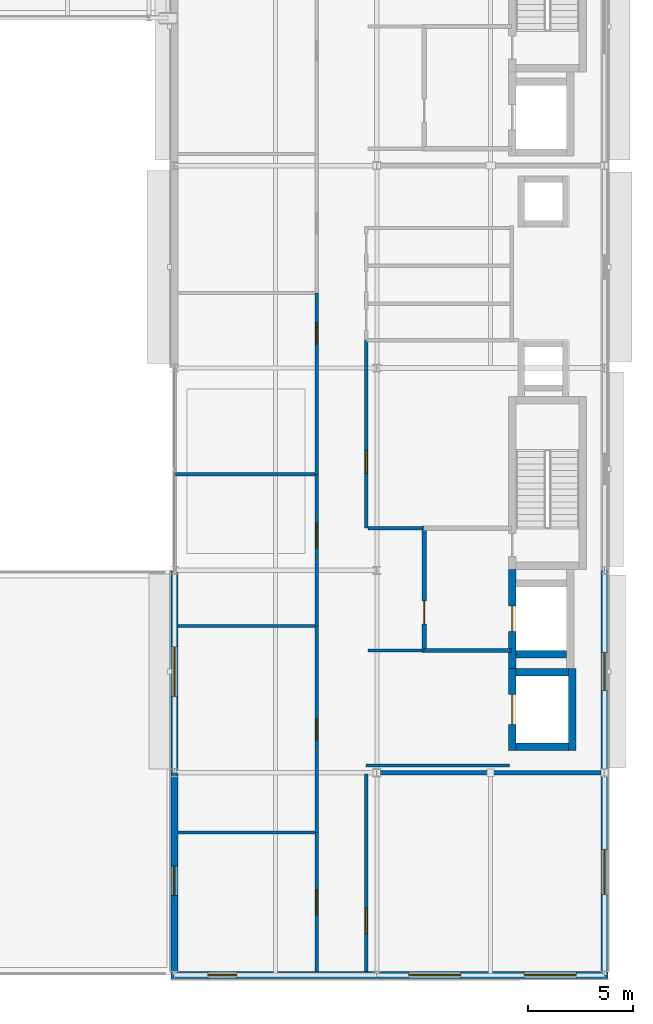
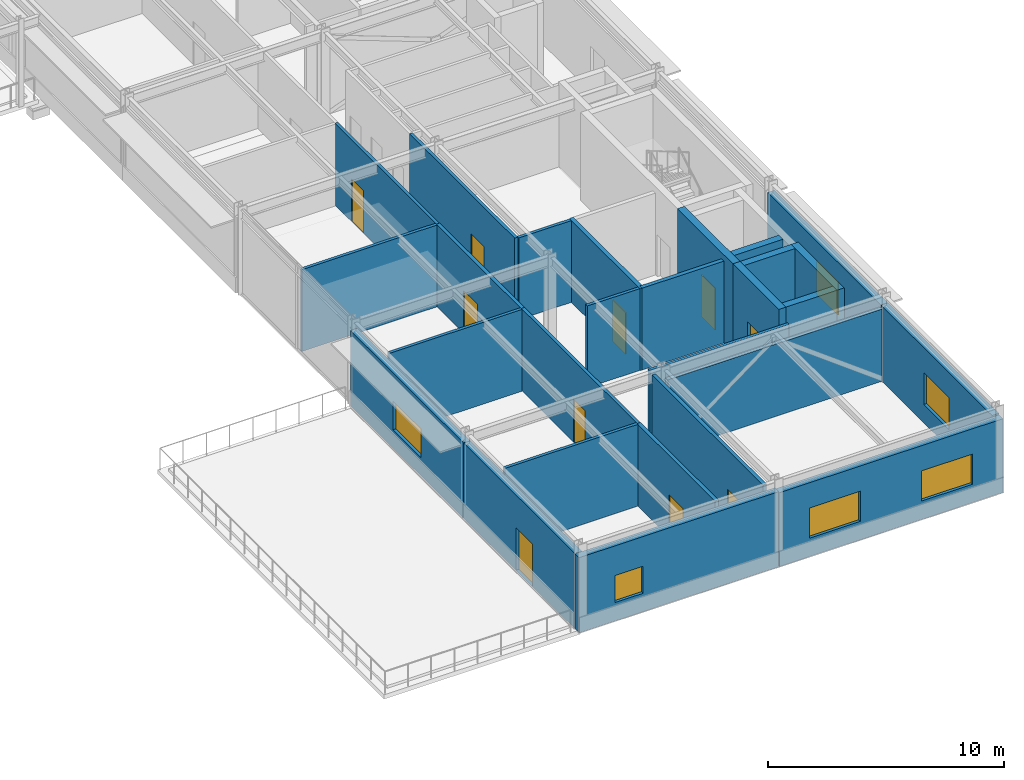
# One storey, part 124 of 157: 27 walls, 10 doors, 6 windows, 16 openings.
"""IFC4 building model written with IfcOpenShell, lengths in metres."""

from ifc_helpers import new_model, si_unit, direction, frame, frame_2d, origin, place, context, subcontext, project, spatial, rectangle, extrude, material, layer, layer_set, type_object, element, fill, save


model = new_model("IFC4")

# Units and contexts
model_context = context("Model", 3, precision=1e-05, world=origin(), true_north=direction((0.0, 1.0)))
body_context = subcontext(model_context, "Body", "Model", "MODEL_VIEW")
ifc_project = project(units=[si_unit("LENGTHUNIT", "METRE"), si_unit("AREAUNIT", "SQUARE_METRE"), si_unit("VOLUMEUNIT", "CUBIC_METRE"), si_unit("PLANEANGLEUNIT", "RADIAN"), si_unit("MASSUNIT", "GRAM", prefix="KILO")], contexts=[model_context])

# Site, building, storey
site_placement = place(None, origin())
site = spatial("IfcSite", under=ifc_project, at=site_placement, CompositionType="ELEMENT")
building_placement = place(site_placement, origin())
building = spatial("IfcBuilding", under=site, at=building_placement, Name="Almandine Court Research Institute", CompositionType="ELEMENT")
storey_placement = place(building_placement, frame((0.0, 0.0, 5.25)))
storey = spatial("IfcBuildingStorey", under=building, at=storey_placement, Name="L01", CompositionType="ELEMENT", Elevation=5.25)

# Wall, opening, door
ifc_material_1 = material(Name="Andean Red-Buff Sandstone Plinth Wall", Category="masonry")
ifc_layer_1 = layer(ifc_material_1, 0.340087890625)
ifc_layer_set_1 = layer_set([ifc_layer_1], Name="Andean Red-Buff Sandstone Plinth Wall")
wall_type_1 = type_object("IfcWallType", Name="Wall-EXT-SAND-340", PredefinedType="SOLIDWALL", material=ifc_layer_set_1)
wall_1_placement = place(storey_placement, frame((153.60009765625, 6.174072265625, 0.0), z_axis=(0.0, 0.0, 1.0), x_axis=(0.0, 1.0, 0.0)))
wall_1 = element("IfcWall", 1, at=wall_1_placement, inside=storey, type_object=wall_type_1, Name="L01 Wet Lab West Terrace Wall", PredefinedType="SOLIDWALL", context=body_context, shape_type="SweptSolid", body=[
    extrude(rectangle(XDim=9.421875, YDim=0.340087890625, at=frame_2d((4.7109375, 0.0))), origin(), (0.0, 0.0, 1.0), 3.89306640625),
])
opening_1_placement = place(wall_1_placement, frame((3.60009765625, 0.0, 0.0)))
opening_1 = element("IfcOpeningElement", 2, at=opening_1_placement, cuts=wall_1, Name="Opening TD-01", PredefinedType="OPENING", context=body_context, shape_type="SweptSolid", body=[
    extrude(rectangle(XDim=1.39990234375, YDim=2.199951171875, at=frame_2d((0.699951171875, 1.10009765625))), frame((0.0, 0.179931640625, 0.0), z_axis=(0.0, -1.0, 0.0), x_axis=(1.0, 0.0, 0.0)), (0.0, 0.0, 1.0), 0.360107421875),
])
ifc_material_2 = material(Name="Thermally Broken Glazed Terrace Door")
door_type_1 = type_object("IfcDoorType", Name="Door-TER-1400", OperationType="DOUBLE_DOOR_SINGLE_SWING", PredefinedType="DOOR", material=ifc_material_2)
door_1_placement = place(opening_1_placement, origin())
door_1 = element("IfcDoor", 3, at=door_1_placement, inside=storey, type_object=door_type_1, Name="L01 Wet Lab SW Terrace Door", OperationType="DOUBLE_DOOR_SINGLE_SWING", OverallHeight=2.199951171875, OverallWidth=1.39990234375, PredefinedType="DOOR", context=body_context, shape_type="SweptSolid", body=[
    extrude(rectangle(XDim=1.39990234375, YDim=2.199951171875, at=frame_2d((0.699951171875, 1.10009765625))), frame((0.0, 0.02490234375, 0.0), z_axis=(0.0, -1.0, 0.0), x_axis=(1.0, 0.0, 0.0)), (0.0, 0.0, 1.0), 0.050048828125),
])
fill(opening_1, door_1)

# Wall, opening, window
wall_2_placement = place(storey_placement, frame((153.60009765625, 15.60400390625, 0.0), z_axis=(0.0, 0.0, 1.0), x_axis=(0.0, 1.0, 0.0)))
wall_2 = element("IfcWall", 4, at=wall_2_placement, inside=storey, type_object=wall_type_1, Name="L01 Wet Lab West Facade Wall 2", PredefinedType="SOLIDWALL", context=body_context, shape_type="SweptSolid", body=[
    extrude(rectangle(XDim=9.592041015625, YDim=0.340087890625, at=frame_2d((4.7958984375, 0.0))), origin(), (0.0, 0.0, 1.0), 3.89306640625),
])
opening_2_placement = place(wall_2_placement, frame((3.611083984375, 0.0, 0.949951171875)))
opening_2 = element("IfcOpeningElement", 5, at=opening_2_placement, cuts=wall_2, Name="Opening WN-61", PredefinedType="OPENING", context=body_context, shape_type="SweptSolid", body=[
    extrude(rectangle(XDim=2.3701171875, YDim=1.47998046875, at=frame_2d((1.18505859375, 0.739990234375))), frame((0.0, 0.179931640625, 0.0), z_axis=(0.0, -1.0, 0.0), x_axis=(1.0, 0.0, 0.0)), (0.0, 0.0, 1.0), 0.360107421875),
])
ifc_material_3 = material(Name="Thermally Broken Low-E Double-Glazed Window", Category="glass")
window_type_1 = type_object("IfcWindowType", Name="Win-WN-61-2370x1480", PartitioningType="SINGLE_PANEL", PredefinedType="WINDOW", material=ifc_material_3)
window_1_placement = place(opening_2_placement, origin())
window_1 = element("IfcWindow", 6, at=window_1_placement, inside=storey, type_object=window_type_1, Name="L01 Modular Recessed Low-E Window 87", OverallHeight=1.47998046875, OverallWidth=2.3701171875, PartitioningType="SINGLE_PANEL", PredefinedType="WINDOW", context=body_context, shape_type="SweptSolid", body=[
    extrude(rectangle(XDim=2.3701171875, YDim=1.47998046875, at=frame_2d((1.18505859375, 0.739990234375))), frame((0.0, 0.030029296875, 0.0), z_axis=(0.0, -1.0, 0.0), x_axis=(1.0, 0.0, 0.0)), (0.0, 0.0, 1.0), 0.06005859375),
])
fill(opening_2, window_1)

wall_3_placement = place(storey_placement, frame((174.0, 25.196044921875, 0.0), z_axis=(0.0, 0.0, 1.0), x_axis=(0.0, -1.0, 0.0)))
wall_3 = element("IfcWall", 7, at=wall_3_placement, inside=storey, type_object=wall_type_1, Name="L01 Wet Lab East Facade Wall 2", PredefinedType="SOLIDWALL", context=body_context, shape_type="SweptSolid", body=[
    extrude(rectangle(XDim=9.592041015625, YDim=0.340087890625, at=frame_2d((4.7958984375, 0.0))), origin(), (0.0, 0.0, 1.0), 3.884033203125),
])
opening_3_placement = place(wall_3_placement, frame((3.885986328125, 0.0, 0.949951171875)))
opening_3 = element("IfcOpeningElement", 8, at=opening_3_placement, cuts=wall_3, Name="Opening WN-68", PredefinedType="OPENING", context=body_context, shape_type="SweptSolid", body=[
    extrude(rectangle(XDim=1.820068359375, YDim=1.719970703125, at=frame_2d((0.91015625, 0.85986328125))), frame((0.0, 0.179931640625, 0.0), z_axis=(0.0, -1.0, 0.0), x_axis=(1.0, 0.0, 0.0)), (0.0, 0.0, 1.0), 0.360107421875),
])
window_type_2 = type_object("IfcWindowType", Name="Win-WN-68-1820x1720", PartitioningType="SINGLE_PANEL", PredefinedType="WINDOW", material=ifc_material_3)
window_2_placement = place(opening_3_placement, origin())
window_2 = element("IfcWindow", 9, at=window_2_placement, inside=storey, type_object=window_type_2, Name="L01 Modular Recessed Low-E Window 96", OverallHeight=1.719970703125, OverallWidth=1.820068359375, PartitioningType="SINGLE_PANEL", PredefinedType="WINDOW", context=body_context, shape_type="SweptSolid", body=[
    extrude(rectangle(XDim=1.820068359375, YDim=1.719970703125, at=frame_2d((0.91015625, 0.85986328125))), frame((0.0, 0.030029296875, 0.0), z_axis=(0.0, -1.0, 0.0), x_axis=(1.0, 0.0, 0.0)), (0.0, 0.0, 1.0), 0.06005859375),
])
fill(opening_3, window_2)

wall_4_placement = place(storey_placement, frame((174.0, 15.595947265625, 0.0), z_axis=(0.0, 0.0, 1.0), x_axis=(0.0, -1.0, 0.0)))
wall_4 = element("IfcWall", 10, at=wall_4_placement, inside=storey, type_object=wall_type_1, Name="L01 Wet Lab East Facade Wall 1", PredefinedType="SOLIDWALL", context=body_context, shape_type="SweptSolid", body=[
    extrude(rectangle(XDim=9.421875, YDim=0.340087890625, at=frame_2d((4.7109375, 0.0))), origin(), (0.0, 0.0, 1.0), 3.884033203125),
])
opening_4_placement = place(wall_4_placement, frame((3.635986328125, 0.0, 0.949951171875)))
opening_4 = element("IfcOpeningElement", 11, at=opening_4_placement, cuts=wall_4, Name="Opening WN-69", PredefinedType="OPENING", context=body_context, shape_type="SweptSolid", body=[
    extrude(rectangle(XDim=2.14990234375, YDim=1.639892578125, at=frame_2d((1.074951171875, 0.81982421875))), frame((0.0, 0.179931640625, 0.0), z_axis=(0.0, -1.0, 0.0), x_axis=(1.0, 0.0, 0.0)), (0.0, 0.0, 1.0), 0.360107421875),
])
window_type_3 = type_object("IfcWindowType", Name="Win-WN-69-2150x1640", PartitioningType="SINGLE_PANEL", PredefinedType="WINDOW", material=ifc_material_3)
window_3_placement = place(opening_4_placement, origin())
window_3 = element("IfcWindow", 12, at=window_3_placement, inside=storey, type_object=window_type_3, Name="L01 Modular Recessed Low-E Window 97", OverallHeight=1.639892578125, OverallWidth=2.14990234375, PartitioningType="SINGLE_PANEL", PredefinedType="WINDOW", context=body_context, shape_type="SweptSolid", body=[
    extrude(rectangle(XDim=2.14990234375, YDim=1.639892578125, at=frame_2d((1.074951171875, 0.81982421875))), frame((0.0, 0.030029296875, 0.0), z_axis=(0.0, -1.0, 0.0), x_axis=(1.0, 0.0, 0.0)), (0.0, 0.0, 1.0), 0.06005859375),
])
fill(opening_4, window_3)

# Wall, openings, windows
wall_5_placement = place(storey_placement, frame((174.169921875, 6.0, 0.0), z_axis=(0.0, 0.0, 1.0), x_axis=(-1.0, 0.0, 0.0)))
wall_5 = element("IfcWall", 13, at=wall_5_placement, inside=storey, type_object=wall_type_1, Name="L01 Wet Lab South Wall 1", PredefinedType="SOLIDWALL", context=body_context, shape_type="SweptSolid", body=[
    extrude(rectangle(XDim=10.9658203125, YDim=0.340087890625, at=frame_2d((5.48291015625, 0.0))), origin(), (0.0, 0.0, 1.0), 3.81494140625),
])
opening_5_placement = place(wall_5_placement, frame((1.5009765625, 0.0, 0.949951171875)))
opening_5 = element("IfcOpeningElement", 14, at=opening_5_placement, cuts=wall_5, Name="Opening WN-70", PredefinedType="OPENING", context=body_context, shape_type="SweptSolid", body=[
    extrude(rectangle(XDim=2.47998046875, YDim=1.56005859375, at=frame_2d((1.239990234375, 0.780029296875))), frame((0.0, 0.179931640625, 0.0), z_axis=(0.0, -1.0, 0.0), x_axis=(1.0, 0.0, 0.0)), (0.0, 0.0, 1.0), 0.360107421875),
])
opening_6_placement = place(wall_5_placement, frame((6.98388671875, 0.0, 0.949951171875)))
opening_6 = element("IfcOpeningElement", 15, at=opening_6_placement, cuts=wall_5, Name="Opening WN-70", PredefinedType="OPENING", context=body_context, shape_type="SweptSolid", body=[
    extrude(rectangle(XDim=2.47998046875, YDim=1.56005859375, at=frame_2d((1.239990234375, 0.780029296875))), frame((0.0, 0.179931640625, 0.0), z_axis=(0.0, -1.0, 0.0), x_axis=(1.0, 0.0, 0.0)), (0.0, 0.0, 1.0), 0.360107421875),
])
window_type_4 = type_object("IfcWindowType", Name="Win-WN-70-2480x1560", PartitioningType="SINGLE_PANEL", PredefinedType="WINDOW", material=ifc_material_3)
window_4_placement = place(opening_5_placement, origin())
window_4 = element("IfcWindow", 16, at=window_4_placement, inside=storey, type_object=window_type_4, Name="L01 Modular Recessed Low-E Window 98", OverallHeight=1.56005859375, OverallWidth=2.47998046875, PartitioningType="SINGLE_PANEL", PredefinedType="WINDOW", context=body_context, shape_type="SweptSolid", body=[
    extrude(rectangle(XDim=2.47998046875, YDim=1.56005859375, at=frame_2d((1.239990234375, 0.780029296875))), frame((0.0, 0.030029296875, 0.0), z_axis=(0.0, -1.0, 0.0), x_axis=(1.0, 0.0, 0.0)), (0.0, 0.0, 1.0), 0.06005859375),
])
fill(opening_5, window_4)
window_5_placement = place(opening_6_placement, origin())
window_5 = element("IfcWindow", 17, at=window_5_placement, inside=storey, type_object=window_type_4, Name="L01 Modular Recessed Low-E Window 99", OverallHeight=1.56005859375, OverallWidth=2.47998046875, PartitioningType="SINGLE_PANEL", PredefinedType="WINDOW", context=body_context, shape_type="SweptSolid", body=[
    extrude(rectangle(XDim=2.47998046875, YDim=1.56005859375, at=frame_2d((1.239990234375, 0.780029296875))), frame((0.0, 0.030029296875, 0.0), z_axis=(0.0, -1.0, 0.0), x_axis=(1.0, 0.0, 0.0)), (0.0, 0.0, 1.0), 0.06005859375),
])
fill(opening_6, window_5)

# Wall, opening, window
wall_6_placement = place(storey_placement, frame((163.196044921875, 6.0, 0.0), z_axis=(0.0, 0.0, 1.0), x_axis=(-1.0, 0.0, 0.0)))
wall_6 = element("IfcWall", 18, at=wall_6_placement, inside=storey, type_object=wall_type_1, Name="L01 Wet Lab South Wall 2", PredefinedType="SOLIDWALL", context=body_context, shape_type="SweptSolid", body=[
    extrude(rectangle(XDim=9.76611328125, YDim=0.340087890625, at=frame_2d((4.883056640625, 0.0))), origin(), (0.0, 0.0, 1.0), 3.884033203125),
])
opening_7_placement = place(wall_6_placement, frame((6.634033203125, 0.0, 0.949951171875)))
opening_7 = element("IfcOpeningElement", 19, at=opening_7_placement, cuts=wall_6, Name="Opening WN-71", PredefinedType="OPENING", context=body_context, shape_type="SweptSolid", body=[
    extrude(rectangle(XDim=1.3798828125, YDim=1.39990234375, at=frame_2d((0.68994140625, 0.699951171875))), frame((0.0, 0.179931640625, 0.0), z_axis=(0.0, -1.0, 0.0), x_axis=(1.0, 0.0, 0.0)), (0.0, 0.0, 1.0), 0.360107421875),
])
window_type_5 = type_object("IfcWindowType", Name="Win-WN-71-1380x1400", PartitioningType="SINGLE_PANEL", PredefinedType="WINDOW", material=ifc_material_3)
window_6_placement = place(opening_7_placement, origin())
window_6 = element("IfcWindow", 20, at=window_6_placement, inside=storey, type_object=window_type_5, Name="L01 Modular Recessed Low-E Window 100", OverallHeight=1.39990234375, OverallWidth=1.3798828125, PartitioningType="SINGLE_PANEL", PredefinedType="WINDOW", context=body_context, shape_type="SweptSolid", body=[
    extrude(rectangle(XDim=1.3798828125, YDim=1.39990234375, at=frame_2d((0.68994140625, 0.699951171875))), frame((0.0, 0.030029296875, 0.0), z_axis=(0.0, -1.0, 0.0), x_axis=(1.0, 0.0, 0.0)), (0.0, 0.0, 1.0), 0.06005859375),
])
fill(opening_7, window_6)

# Wall, opening, door
ifc_material_4 = material(Name="One-Hour Fire-Rated Laboratory Partition")
ifc_layer_2 = layer(ifc_material_4, 0.175048828125)
ifc_layer_set_2 = layer_set([ifc_layer_2], Name="One-Hour Fire-Rated Laboratory Partition")
wall_type_2 = type_object("IfcWallType", Name="Wall-FIRE-175", PredefinedType="PARTITIONING", material=ifc_layer_set_2)
wall_7_placement = place(storey_placement, frame((160.35009765625, 6.159912109375, 0.0), z_axis=(0.0, 0.0, 1.0), x_axis=(0.0, 1.0, 0.0)))
wall_7 = element("IfcWall", 21, at=wall_7_placement, inside=storey, type_object=wall_type_2, Name="L01 Interior Partition W-V4-L01-WW-0", PredefinedType="PARTITIONING", context=body_context, shape_type="SweptSolid", body=[
    extrude(rectangle(XDim=6.60009765625, YDim=0.175048828125, at=frame_2d((3.300048828125, 0.0))), origin(), (0.0, 0.0, 1.0), 4.22998046875),
])
opening_8_placement = place(wall_7_placement, frame((2.699951171875, 0.0, 0.0)))
opening_8 = element("IfcOpeningElement", 22, at=opening_8_placement, cuts=wall_7, Name="Opening FD-LAB", PredefinedType="OPENING", context=body_context, shape_type="SweptSolid", body=[
    extrude(rectangle(XDim=1.199951171875, YDim=2.199951171875, at=frame_2d((0.60009765625, 1.10009765625))), frame((0.0, 0.097412109375, 0.0), z_axis=(0.0, -1.0, 0.0), x_axis=(1.0, 0.0, 0.0)), (0.0, 0.0, 1.0), 0.195068359375),
])
ifc_material_5 = material(Name="Fire-Rated Laboratory Containment Door")
door_type_2 = type_object("IfcDoorType", Name="Door-FD-LAB-1200", OperationType="NOTDEFINED", PredefinedType="DOOR", material=ifc_material_5)
door_2_placement = place(opening_8_placement, origin())
door_2 = element("IfcDoor", 23, at=door_2_placement, inside=storey, type_object=door_type_2, Name="L01 Wet Chemistry Laboratory Door", OperationType="SINGLE_SWING_RIGHT", OverallHeight=2.199951171875, OverallWidth=1.199951171875, PredefinedType="DOOR", context=body_context, shape_type="SweptSolid", body=[
    extrude(rectangle(XDim=1.199951171875, YDim=2.199951171875, at=frame_2d((0.60009765625, 1.10009765625))), frame((0.0, 0.02490234375, 0.0), z_axis=(0.0, -1.0, 0.0), x_axis=(1.0, 0.0, 0.0)), (0.0, 0.0, 1.0), 0.050048828125),
])
fill(opening_8, door_2)

wall_8_placement = place(storey_placement, frame((160.35009765625, 22.56005859375, 0.0), z_axis=(0.0, 0.0, 1.0), x_axis=(0.0, 1.0, 0.0)))
wall_8 = element("IfcWall", 24, at=wall_8_placement, inside=storey, type_object=wall_type_2, Name="L01 Interior Partition W-V4-L01-WW-2", PredefinedType="PARTITIONING", context=body_context, shape_type="SweptSolid", body=[
    extrude(rectangle(XDim=7.199951171875, YDim=0.175048828125, at=frame_2d((3.60009765625, 0.0))), origin(), (0.0, 0.0, 1.0), 4.22998046875),
])
opening_9_placement = place(wall_8_placement, frame((3.68994140625, 0.0, 0.0)))
opening_9 = element("IfcOpeningElement", 25, at=opening_9_placement, cuts=wall_8, Name="Opening FD-LAB", PredefinedType="OPENING", context=body_context, shape_type="SweptSolid", body=[
    extrude(rectangle(XDim=1.199951171875, YDim=2.199951171875, at=frame_2d((0.60009765625, 1.10009765625))), frame((0.0, 0.097412109375, 0.0), z_axis=(0.0, -1.0, 0.0), x_axis=(1.0, 0.0, 0.0)), (0.0, 0.0, 1.0), 0.195068359375),
])
door_3_placement = place(opening_9_placement, origin())
door_3 = element("IfcDoor", 26, at=door_3_placement, inside=storey, type_object=door_type_2, Name="L01 Biosciences BSL-2 Laboratory Door", OperationType="SINGLE_SWING_RIGHT", OverallHeight=2.199951171875, OverallWidth=1.199951171875, PredefinedType="DOOR", context=body_context, shape_type="SweptSolid", body=[
    extrude(rectangle(XDim=1.199951171875, YDim=2.199951171875, at=frame_2d((0.60009765625, 1.10009765625))), frame((0.0, 0.02490234375, 0.0), z_axis=(0.0, -1.0, 0.0), x_axis=(1.0, 0.0, 0.0)), (0.0, 0.0, 1.0), 0.050048828125),
])
fill(opening_9, door_3)

wall_9_placement = place(storey_placement, frame((162.699951171875, 6.159912109375, 0.0), z_axis=(0.0, 0.0, 1.0), x_axis=(0.0, 1.0, 0.0)))
wall_9 = element("IfcWall", 27, at=wall_9_placement, inside=storey, type_object=wall_type_2, Name="L01 Interior Partition W-V4-L01-EW-S", PredefinedType="PARTITIONING", context=body_context, shape_type="SweptSolid", body=[
    extrude(rectangle(XDim=9.39013671875, YDim=0.175048828125, at=frame_2d((4.695068359375, 0.0))), origin(), (0.0, 0.0, 1.0), 4.22998046875),
])
opening_10_placement = place(wall_9_placement, frame((1.800048828125, 0.0, 0.0)))
opening_10 = element("IfcOpeningElement", 28, at=opening_10_placement, cuts=wall_9, Name="Opening FD-LAB", PredefinedType="OPENING", context=body_context, shape_type="SweptSolid", body=[
    extrude(rectangle(XDim=1.199951171875, YDim=2.199951171875, at=frame_2d((0.60009765625, 1.10009765625))), frame((0.0, 0.097412109375, 0.0), z_axis=(0.0, -1.0, 0.0), x_axis=(1.0, 0.0, 0.0)), (0.0, 0.0, 1.0), 0.195068359375),
])
door_4_placement = place(opening_10_placement, origin())
door_4 = element("IfcDoor", 29, at=door_4_placement, inside=storey, type_object=door_type_2, Name="L01 Analytical Lab Door", OperationType="SINGLE_SWING_RIGHT", OverallHeight=2.199951171875, OverallWidth=1.199951171875, PredefinedType="DOOR", context=body_context, shape_type="SweptSolid", body=[
    extrude(rectangle(XDim=1.199951171875, YDim=2.199951171875, at=frame_2d((0.60009765625, 1.10009765625))), frame((0.0, 0.02490234375, 0.0), z_axis=(0.0, -1.0, 0.0), x_axis=(1.0, 0.0, 0.0)), (0.0, 0.0, 1.0), 0.050048828125),
])
fill(opening_10, door_4)

# Wall
ifc_material_6 = material(Name="Two-Hour Fire-Barrier Enclosure Wall")
ifc_layer_3 = layer(ifc_material_6, 0.199951171875)
ifc_layer_set_3 = layer_set([ifc_layer_3], Name="Two-Hour Fire-Barrier Enclosure Wall")
wall_type_3 = type_object("IfcWallType", Name="Wall-FIRE-200", PredefinedType="SOLIDWALL", material=ifc_layer_set_3)
wall_10_placement = place(storey_placement, frame((163.360107421875, 15.60009765625, 0.0), z_axis=(0.0, 0.0, 1.0), x_axis=(1.0, 0.0, 0.0)))
element("IfcWall", 30, at=wall_10_placement, inside=storey, type_object=wall_type_3, Name="L01 Interior Partition W-BF-V4-BF1-L01", PredefinedType="SOLIDWALL", context=body_context, shape_type="SweptSolid", body=[
    extrude(rectangle(XDim=10.47998046875, YDim=0.199951171875, at=frame_2d((5.239990234375, 0.0))), origin(), (0.0, 0.0, 1.0), 3.737060546875),
])

# Wall, opening, door
wall_11_placement = place(storey_placement, frame((165.449951171875, 21.300048828125, 0.0), z_axis=(0.0, 0.0, 1.0), x_axis=(0.0, 1.0, 0.0)))
wall_11 = element("IfcWall", 31, at=wall_11_placement, inside=storey, type_object=wall_type_3, Name="L01 Interior Partition W-FFL1-L01-W", PredefinedType="SOLIDWALL", context=body_context, shape_type="SweptSolid", body=[
    extrude(rectangle(XDim=6.0, YDim=0.199951171875, at=frame_2d((3.0, 0.0))), origin(), (0.0, 0.0, 1.0), 4.22998046875),
])
opening_11_placement = place(wall_11_placement, frame((1.35009765625, 0.0, 0.0)))
opening_11 = element("IfcOpeningElement", 32, at=opening_11_placement, cuts=wall_11, Name="Opening FD-FFL", PredefinedType="OPENING", context=body_context, shape_type="SweptSolid", body=[
    extrude(rectangle(XDim=1.10009765625, YDim=2.14990234375, at=frame_2d((0.550048828125, 1.074951171875))), frame((0.0, 0.10986328125, 0.0), z_axis=(0.0, -1.0, 0.0), x_axis=(1.0, 0.0, 0.0)), (0.0, 0.0, 1.0), 0.219970703125),
])
ifc_material_7 = material(Name="Smoke-Tight Firefighting Lobby Fire Door")
door_type_3 = type_object("IfcDoorType", Name="Door-FD-FFL-1100", OperationType="NOTDEFINED", PredefinedType="DOOR", material=ifc_material_7)
door_5_placement = place(opening_11_placement, origin())
door_5 = element("IfcDoor", 33, at=door_5_placement, inside=storey, type_object=door_type_3, Name="L01 Firefighting Lobby Fire Door 1", OperationType="SINGLE_SWING_LEFT", OverallHeight=2.14990234375, OverallWidth=1.10009765625, PredefinedType="DOOR", context=body_context, shape_type="SweptSolid", body=[
    extrude(rectangle(XDim=1.10009765625, YDim=2.14990234375, at=frame_2d((0.550048828125, 1.074951171875))), frame((0.0, 0.02490234375, 0.0), z_axis=(0.0, -1.0, 0.0), x_axis=(1.0, 0.0, 0.0)), (0.0, 0.0, 1.0), 0.050048828125),
])
fill(opening_11, door_5)

# Walls
wall_12_placement = place(storey_placement, frame((165.449951171875, 21.39990234375, 0.0), z_axis=(0.0, 0.0, 1.0), x_axis=(1.0, 0.0, 0.0)))
element("IfcWall", 34, at=wall_12_placement, inside=storey, type_object=wall_type_3, Name="L01 Interior Partition W-FFL1-L01-S", PredefinedType="SOLIDWALL", context=body_context, shape_type="SweptSolid", body=[
    extrude(rectangle(XDim=4.150146484375, YDim=0.199951171875, at=frame_2d((2.0751953125, 0.0))), origin(), (0.0, 0.0, 1.0), 4.22998046875),
])
ifc_material_8 = material(Name="Acoustic Steel-Stud Gypsum Partition Wall", Category="steel")
ifc_layer_4 = layer(ifc_material_8, 0.14990234375)
ifc_layer_set_4 = layer_set([ifc_layer_4], Name="Acoustic Steel-Stud Gypsum Partition Wall")
wall_type_4 = type_object("IfcWallType", Name="Wall-PART-150", PredefinedType="PARTITIONING", material=ifc_layer_set_4)
wall_13_placement = place(storey_placement, frame((153.760009765625, 12.760009765625, 0.0), z_axis=(0.0, 0.0, 1.0), x_axis=(1.0, 0.0, 0.0)))
element("IfcWall", 35, at=wall_13_placement, inside=storey, type_object=wall_type_4, Name="L01 Interior Partition W-V4-L01-WDIV-0", PredefinedType="PARTITIONING", context=body_context, shape_type="SweptSolid", body=[
    extrude(rectangle(XDim=6.510009765625, YDim=0.14990234375, at=frame_2d((3.2548828125, 0.0))), origin(), (0.0, 0.0, 1.0), 4.22998046875),
])

# Wall, opening, door
wall_14_placement = place(storey_placement, frame((160.35009765625, 12.760009765625, 0.0), z_axis=(0.0, 0.0, 1.0), x_axis=(0.0, 1.0, 0.0)))
wall_14 = element("IfcWall", 36, at=wall_14_placement, inside=storey, type_object=wall_type_4, Name="L01 Interior Partition W-V4-L01-WW-1", PredefinedType="PARTITIONING", context=body_context, shape_type="SweptSolid", body=[
    extrude(rectangle(XDim=9.800048828125, YDim=0.14990234375, at=frame_2d((4.89990234375, 0.0))), origin(), (0.0, 0.0, 1.0), 4.22998046875),
])
opening_12_placement = place(wall_14_placement, frame((4.39990234375, 0.0, 0.0)))
opening_12 = element("IfcOpeningElement", 37, at=opening_12_placement, cuts=wall_14, Name="Opening D-02", PredefinedType="OPENING", context=body_context, shape_type="SweptSolid", body=[
    extrude(rectangle(XDim=1.0, YDim=2.199951171875, at=frame_2d((0.5, 1.10009765625))), frame((0.0, 0.0849609375, 0.0), z_axis=(0.0, -1.0, 0.0), x_axis=(1.0, 0.0, 0.0)), (0.0, 0.0, 1.0), 0.169921875),
])
ifc_material_9 = material(Name="Solid-Core Timber Researcher Office Door", Category="wood")
door_type_4 = type_object("IfcDoorType", Name="Door-INT-1000", OperationType="NOTDEFINED", PredefinedType="DOOR", material=ifc_material_9)
door_6_placement = place(opening_12_placement, origin())
door_6 = element("IfcDoor", 38, at=door_6_placement, inside=storey, type_object=door_type_4, Name="L01 Faculty Study Door", OperationType="SINGLE_SWING_LEFT", OverallHeight=2.199951171875, OverallWidth=1.0, PredefinedType="DOOR", context=body_context, shape_type="SweptSolid", body=[
    extrude(rectangle(XDim=1.0, YDim=2.199951171875, at=frame_2d((0.5, 1.10009765625))), frame((0.0, 0.02490234375, 0.0), z_axis=(0.0, -1.0, 0.0), x_axis=(1.0, 0.0, 0.0)), (0.0, 0.0, 1.0), 0.050048828125),
])
fill(opening_12, door_6)

# Walls
wall_15_placement = place(storey_placement, frame((153.760009765625, 22.56005859375, 0.0), z_axis=(0.0, 0.0, 1.0), x_axis=(1.0, 0.0, 0.0)))
element("IfcWall", 39, at=wall_15_placement, inside=storey, type_object=wall_type_4, Name="L01 Interior Partition W-V4-L01-WDIV-1", PredefinedType="PARTITIONING", context=body_context, shape_type="SweptSolid", body=[
    extrude(rectangle(XDim=6.510009765625, YDim=0.14990234375, at=frame_2d((3.2548828125, 0.0))), origin(), (0.0, 0.0, 1.0), 4.22998046875),
])
wall_16_placement = place(storey_placement, frame((153.659912109375, 29.760009765625, 0.0), z_axis=(0.0, 0.0, 1.0), x_axis=(1.0, 0.0, 0.0)))
element("IfcWall", 40, at=wall_16_placement, inside=storey, type_object=wall_type_4, Name="L01 Interior Partition W-V4-L01-WDIV-2", PredefinedType="PARTITIONING", context=body_context, shape_type="SweptSolid", body=[
    extrude(rectangle(XDim=6.610107421875, YDim=0.14990234375, at=frame_2d((3.30517578125, 0.0))), origin(), (0.0, 0.0, 1.0), 4.22998046875),
])

# Wall, opening, door
wall_17_placement = place(storey_placement, frame((160.35009765625, 29.760009765625, 0.0), z_axis=(0.0, 0.0, 1.0), x_axis=(0.0, 1.0, 0.0)))
wall_17 = element("IfcWall", 41, at=wall_17_placement, inside=storey, type_object=wall_type_4, Name="L01 Interior Partition W-V4-L01-WW-3", PredefinedType="PARTITIONING", context=body_context, shape_type="SweptSolid", body=[
    extrude(rectangle(XDim=8.60009765625, YDim=0.14990234375, at=frame_2d((4.300048828125, 0.0))), origin(), (0.0, 0.0, 1.0), 4.22998046875),
])
opening_13_placement = place(wall_17_placement, frame((6.18994140625, 0.0, 0.0)))
opening_13 = element("IfcOpeningElement", 42, at=opening_13_placement, cuts=wall_17, Name="Opening D-02", PredefinedType="OPENING", context=body_context, shape_type="SweptSolid", body=[
    extrude(rectangle(XDim=1.0, YDim=2.199951171875, at=frame_2d((0.5, 1.10009765625))), frame((0.0, 0.0849609375, 0.0), z_axis=(0.0, -1.0, 0.0), x_axis=(1.0, 0.0, 0.0)), (0.0, 0.0, 1.0), 0.169921875),
])
door_7_placement = place(opening_13_placement, origin())
door_7 = element("IfcDoor", 43, at=door_7_placement, inside=storey, type_object=door_type_4, Name="L01 Seminar Room Door", OperationType="SINGLE_SWING_LEFT", OverallHeight=2.199951171875, OverallWidth=1.0, PredefinedType="DOOR", context=body_context, shape_type="SweptSolid", body=[
    extrude(rectangle(XDim=1.0, YDim=2.199951171875, at=frame_2d((0.5, 1.10009765625))), frame((0.0, 0.02490234375, 0.0), z_axis=(0.0, -1.0, 0.0), x_axis=(1.0, 0.0, 0.0)), (0.0, 0.0, 1.0), 0.050048828125),
])
fill(opening_13, door_7)

# Wall
wall_18_placement = place(storey_placement, frame((162.780029296875, 27.199951171875, 0.0), z_axis=(0.0, 0.0, 1.0), x_axis=(1.0, 0.0, 0.0)))
element("IfcWall", 44, at=wall_18_placement, inside=storey, type_object=wall_type_4, Name="L01 Interior Partition W-V4-L01-SPEC-S", PredefinedType="PARTITIONING", context=body_context, shape_type="SweptSolid", body=[
    extrude(rectangle(XDim=2.570068359375, YDim=0.14990234375, at=frame_2d((1.28515625, 0.0))), origin(), (0.0, 0.0, 1.0), 4.22998046875),
])

# Wall, opening, door
wall_19_placement = place(storey_placement, frame((162.699951171875, 27.199951171875, 0.0), z_axis=(0.0, 0.0, 1.0), x_axis=(0.0, 1.0, 0.0)))
wall_19 = element("IfcWall", 45, at=wall_19_placement, inside=storey, type_object=wall_type_4, Name="L01 Interior Partition W-V4-L01-EW-M", PredefinedType="PARTITIONING", context=body_context, shape_type="SweptSolid", body=[
    extrude(rectangle(XDim=8.920166015625, YDim=0.14990234375, at=frame_2d((4.4599609375, 0.0))), origin(), (0.0, 0.0, 1.0), 4.22998046875),
])
opening_14_placement = place(wall_19_placement, frame((2.60009765625, 0.0, 0.0)))
opening_14 = element("IfcOpeningElement", 46, at=opening_14_placement, cuts=wall_19, Name="Opening D-03", PredefinedType="OPENING", context=body_context, shape_type="SweptSolid", body=[
    extrude(rectangle(XDim=1.10009765625, YDim=2.199951171875, at=frame_2d((0.550048828125, 1.10009765625))), frame((0.0, 0.0849609375, 0.0), z_axis=(0.0, -1.0, 0.0), x_axis=(1.0, 0.0, 0.0)), (0.0, 0.0, 1.0), 0.169921875),
])
ifc_material_10 = material(Name="Acoustic Vision-Panel Seminar Door")
door_type_5 = type_object("IfcDoorType", Name="Door-INT-1100", OperationType="NOTDEFINED", PredefinedType="DOOR", material=ifc_material_10)
door_8_placement = place(opening_14_placement, origin())
door_8 = element("IfcDoor", 47, at=door_8_placement, inside=storey, type_object=door_type_5, Name="L01 Spectroscopy Suite Door", OperationType="SINGLE_SWING_LEFT", OverallHeight=2.199951171875, OverallWidth=1.10009765625, PredefinedType="DOOR", context=body_context, shape_type="SweptSolid", body=[
    extrude(rectangle(XDim=1.10009765625, YDim=2.199951171875, at=frame_2d((0.550048828125, 1.10009765625))), frame((0.0, 0.02490234375, 0.0), z_axis=(0.0, -1.0, 0.0), x_axis=(1.0, 0.0, 0.0)), (0.0, 0.0, 1.0), 0.050048828125),
])
fill(opening_14, door_8)

# Walls
wall_20_placement = place(storey_placement, frame((162.780029296875, 21.39990234375, 0.0), z_axis=(0.0, 0.0, 1.0), x_axis=(1.0, 0.0, 0.0)))
element("IfcWall", 48, at=wall_20_placement, inside=storey, type_object=wall_type_4, Name="L01 Interior Partition W-V4-L01-FFL1-CS", PredefinedType="PARTITIONING", context=body_context, shape_type="SweptSolid", body=[
    extrude(rectangle(XDim=2.570068359375, YDim=0.14990234375, at=frame_2d((1.28515625, 0.0))), origin(), (0.0, 0.0, 1.0), 4.22998046875),
])
wall_21_placement = place(storey_placement, frame((162.699951171875, 15.949951171875, 0.0), z_axis=(0.0, 0.0, 1.0), x_axis=(1.0, 0.0, 0.0)))
element("IfcWall", 49, at=wall_21_placement, inside=storey, type_object=wall_type_4, Name="L01 Interior Partition W-V4-L01-GL1-CS", PredefinedType="PARTITIONING", context=body_context, shape_type="SweptSolid", body=[
    extrude(rectangle(XDim=6.800048828125, YDim=0.14990234375, at=frame_2d((3.39990234375, 0.0))), origin(), (0.0, 0.0, 1.0), 4.22998046875),
])

# Wall, opening, door
ifc_material_11 = material(Name="Concrete C40/50", Category="concrete")
ifc_layer_5 = layer(ifc_material_11, 0.35009765625)
ifc_layer_set_5 = layer_set([ifc_layer_5], Name="Concrete C40/50")
wall_type_5 = type_object("IfcWallType", Name="Wall-SW-CORE-350", PredefinedType="SHEAR", material=ifc_layer_set_5)
wall_22_placement = place(storey_placement, frame((169.625, 20.550048828125, 0.0), z_axis=(0.0, 0.0, 1.0), x_axis=(0.0, 1.0, 0.0)))
wall_22 = element("IfcWall", 50, at=wall_22_placement, inside=storey, type_object=wall_type_5, Name="L01 FL-01 Hoistway W Shear Wall", PredefinedType="SHEAR", context=body_context, shape_type="SweptSolid", body=[
    extrude(rectangle(XDim=4.699951171875, YDim=0.35009765625, at=frame_2d((2.35009765625, 0.0))), origin(), (0.0, 0.0, 1.0), 4.550048828125),
])
opening_15_placement = place(wall_22_placement, frame((1.75, 0.0, 0.0)))
opening_15 = element("IfcOpeningElement", 51, at=opening_15_placement, cuts=wall_22, Name="Opening LD-02", PredefinedType="OPENING", context=body_context, shape_type="SweptSolid", body=[
    extrude(rectangle(XDim=1.199951171875, YDim=2.14990234375, at=frame_2d((0.60009765625, 1.074951171875))), frame((0.0, 0.18505859375, 0.0), z_axis=(0.0, -1.0, 0.0), x_axis=(1.0, 0.0, 0.0)), (0.0, 0.0, 1.0), 0.3701171875),
])
ifc_material_12 = material(Name="Firefighting Lift Landing Sliding Door")
door_type_6 = type_object("IfcDoorType", Name="Door-LD-FSAE-1200", OperationType="SLIDING_TO_LEFT", PredefinedType="USERDEFINED", material=ifc_material_12)
door_9_placement = place(opening_15_placement, origin())
door_9 = element("IfcDoor", 52, at=door_9_placement, inside=storey, type_object=door_type_6, Name="L01 Firefighting Lift FL-01 Sliding Landing Door", ObjectType="LANDING DOOR", OperationType="SLIDING_TO_LEFT", OverallHeight=2.14990234375, OverallWidth=1.199951171875, PredefinedType="USERDEFINED", context=body_context, shape_type="SweptSolid", body=[
    extrude(rectangle(XDim=1.199951171875, YDim=2.14990234375, at=frame_2d((0.60009765625, 1.074951171875))), frame((0.0, 0.02490234375, 0.0), z_axis=(0.0, -1.0, 0.0), x_axis=(1.0, 0.0, 0.0)), (0.0, 0.0, 1.0), 0.050048828125),
])
fill(opening_15, door_9)

# Wall
wall_23_placement = place(storey_placement, frame((172.199951171875, 21.22509765625, 0.0), z_axis=(0.0, 0.0, 1.0), x_axis=(-1.0, 0.0, 0.0)))
element("IfcWall", 53, at=wall_23_placement, inside=storey, type_object=wall_type_5, Name="L01 FL-01 Hoistway S Shear Wall", PredefinedType="SHEAR", context=body_context, shape_type="SweptSolid", body=[
    extrude(rectangle(XDim=2.39990234375, YDim=0.35009765625, at=frame_2d((1.199951171875, 0.0))), origin(), (0.0, 0.0, 1.0), 4.550048828125),
])

# Wall, opening, door
wall_24_placement = place(storey_placement, frame((169.625, 16.64990234375, 0.0), z_axis=(0.0, 0.0, 1.0), x_axis=(0.0, 1.0, 0.0)))
wall_24 = element("IfcWall", 54, at=wall_24_placement, inside=storey, type_object=wall_type_5, Name="L01 GL-01 Hoistway W Shear Wall", PredefinedType="SHEAR", context=body_context, shape_type="SweptSolid", body=[
    extrude(rectangle(XDim=3.900146484375, YDim=0.35009765625, at=frame_2d((1.9501953125, 0.0))), origin(), (0.0, 0.0, 1.0), 4.550048828125),
])
opening_16_placement = place(wall_24_placement, frame((1.25, 0.0, 0.0)))
opening_16 = element("IfcOpeningElement", 55, at=opening_16_placement, cuts=wall_24, Name="Opening LD-03", PredefinedType="OPENING", context=body_context, shape_type="SweptSolid", body=[
    extrude(rectangle(XDim=1.39990234375, YDim=2.300048828125, at=frame_2d((0.699951171875, 1.14990234375))), frame((0.0, 0.18505859375, 0.0), z_axis=(0.0, -1.0, 0.0), x_axis=(1.0, 0.0, 0.0)), (0.0, 0.0, 1.0), 0.3701171875),
])
ifc_material_13 = material(Name="Heavy Goods Lift Landing Sliding Door")
door_type_7 = type_object("IfcDoorType", Name="Door-LD-GOOD-1400", OperationType="SLIDING_TO_LEFT", PredefinedType="USERDEFINED", material=ifc_material_13)
door_10_placement = place(opening_16_placement, origin())
door_10 = element("IfcDoor", 56, at=door_10_placement, inside=storey, type_object=door_type_7, Name="L01 Wet Laboratory Goods Lift GL-01 Sliding Landing Door", ObjectType="LANDING DOOR", OperationType="SLIDING_TO_LEFT", OverallHeight=2.300048828125, OverallWidth=1.39990234375, PredefinedType="USERDEFINED", context=body_context, shape_type="SweptSolid", body=[
    extrude(rectangle(XDim=1.39990234375, YDim=2.300048828125, at=frame_2d((0.699951171875, 1.14990234375))), frame((0.0, 0.02490234375, 0.0), z_axis=(0.0, -1.0, 0.0), x_axis=(1.0, 0.0, 0.0)), (0.0, 0.0, 1.0), 0.050048828125),
])
fill(opening_16, door_10)

# Walls
wall_25_placement = place(storey_placement, frame((169.800048828125, 20.375, 0.0), z_axis=(0.0, 0.0, 1.0), x_axis=(1.0, 0.0, 0.0)))
element("IfcWall", 57, at=wall_25_placement, inside=storey, type_object=wall_type_5, Name="L01 GL-01 Hoistway N Shear Wall", PredefinedType="SHEAR", context=body_context, shape_type="SweptSolid", body=[
    extrude(rectangle(XDim=2.5, YDim=0.35009765625, at=frame_2d((1.25, 0.0))), origin(), (0.0, 0.0, 1.0), 4.550048828125),
])
wall_26_placement = place(storey_placement, frame((172.47509765625, 20.550048828125, 0.0), z_axis=(0.0, 0.0, 1.0), x_axis=(0.0, -1.0, 0.0)))
element("IfcWall", 58, at=wall_26_placement, inside=storey, type_object=wall_type_5, Name="L01 GL-01 Hoistway E Shear Wall", PredefinedType="SHEAR", context=body_context, shape_type="SweptSolid", body=[
    extrude(rectangle(XDim=3.900146484375, YDim=0.35009765625, at=frame_2d((1.9501953125, 0.0))), origin(), (0.0, 0.0, 1.0), 4.550048828125),
])
wall_27_placement = place(storey_placement, frame((172.300048828125, 16.824951171875, 0.0), z_axis=(0.0, 0.0, 1.0), x_axis=(-1.0, 0.0, 0.0)))
element("IfcWall", 59, at=wall_27_placement, inside=storey, type_object=wall_type_5, Name="L01 GL-01 Hoistway S Shear Wall", PredefinedType="SHEAR", context=body_context, shape_type="SweptSolid", body=[
    extrude(rectangle(XDim=2.5, YDim=0.35009765625, at=frame_2d((1.25, 0.0))), origin(), (0.0, 0.0, 1.0), 4.550048828125),
])

save(model, "model.ifc")
